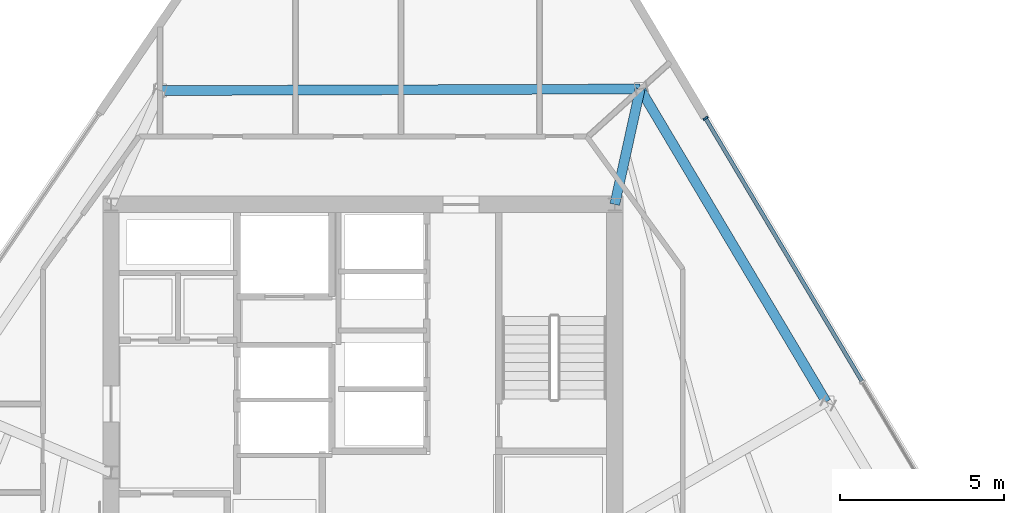
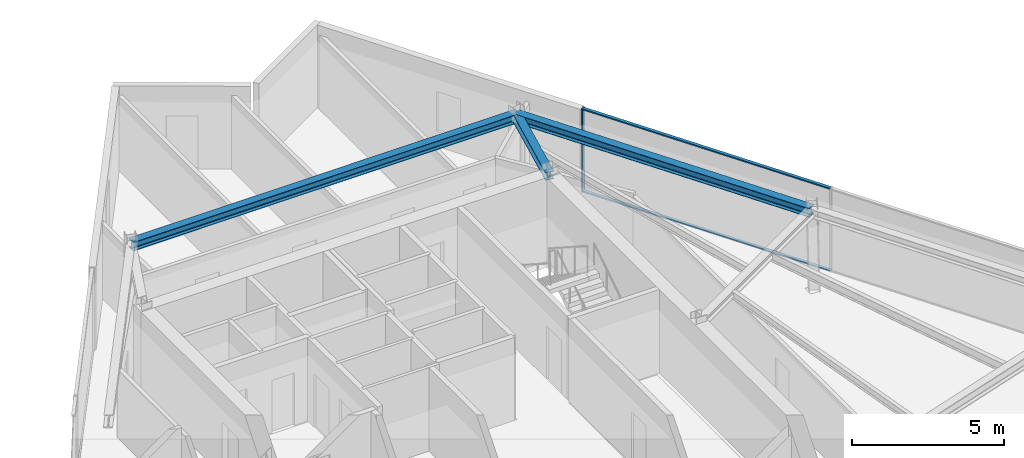
# One storey, part 6 of 14: 3 beams, 3 members, 1 element without a shape of its own.
"""IFC4 building model written with IfcOpenShell, lengths in metres."""

from ifc_helpers import new_model, si_unit, direction, frame, origin, origin_2d, place, context, subcontext, project, spatial, rectangle, i_section, extrude, material, material_profile, profile_set, type_object, element, aggregate, save


model = new_model("IFC4")

# Units and contexts
model_context = context("Model", 3, precision=1e-05, world=origin(), true_north=direction((0.0, 1.0)))
body_context = subcontext(model_context, "Body", "Model", "MODEL_VIEW")
ifc_project = project(units=[si_unit("LENGTHUNIT", "METRE"), si_unit("AREAUNIT", "SQUARE_METRE"), si_unit("VOLUMEUNIT", "CUBIC_METRE"), si_unit("PLANEANGLEUNIT", "RADIAN"), si_unit("MASSUNIT", "GRAM", prefix="KILO")], contexts=[model_context])

# Site, building, storey
site_placement = place(None, origin())
site = spatial("IfcSite", under=ifc_project, at=site_placement, CompositionType="ELEMENT")
building_placement = place(site_placement, origin())
building = spatial("IfcBuilding", under=site, at=building_placement, Name="Savorim Split Tower", CompositionType="ELEMENT")
storey_placement = place(building_placement, frame((0.0, 0.0, 234.300048828125)))
storey = spatial("IfcBuildingStorey", under=building, at=storey_placement, Name="L62", CompositionType="ELEMENT", Elevation=234.300048828125)

# Beams
ifc_material_1 = material(Name="Steel S355", Category="steel")
ifc_material_profile_1 = material_profile(ifc_material_1, i_section(OverallWidth=0.300048828125, OverallDepth=0.320068359375, WebThickness=0.011474609375, FlangeThickness=0.0205078125, FilletRadius=0.027099609375, at=origin_2d()), Name="HEB 320")
ifc_profile_set_1 = profile_set([ifc_material_profile_1], Name="Steel S355")
beam_type_1 = type_object("IfcBeamType", Name="BM-PRI-HEB320", PredefinedType="BEAM", material=ifc_profile_set_1)
beam_1_placement = place(storey_placement, frame((8.477294921875, 13.728515625, 3.18994140625), z_axis=(-0.215141487619, -0.976582889623, 0.0), x_axis=(0.976582889623, -0.215141487619, 0.0)))
element("IfcBeam", 1, at=beam_1_placement, inside=storey, type_object=beam_type_1, Name="L62 Primary Floor Girder RG-07", PredefinedType="BEAM", context=body_context, shape_type="SweptSolid", body=[
    extrude(i_section(OverallWidth=0.300048828125, OverallDepth=0.320068359375, WebThickness=0.011474609375, FlangeThickness=0.0205078125, FilletRadius=0.027099609375, at=origin_2d()), origin(), (0.0, 0.0, 1.0), 3.61328125),
])
ifc_material_profile_2 = material_profile(ifc_material_1, i_section(OverallWidth=0.300048828125, OverallDepth=0.35009765625, WebThickness=0.010009765625, FlangeThickness=0.017578125, FilletRadius=0.027099609375, at=origin_2d()), Name="HEA 360")
ifc_profile_set_2 = profile_set([ifc_material_profile_2], Name="Steel S355")
beam_type_2 = type_object("IfcBeamType", Name="BM-SPN-HEA360", PredefinedType="SPANDREL", material=ifc_profile_set_2)
beam_2_placement = place(storey_placement, frame((14.166748046875, 4.159912109375, 3.175048828125), z_axis=(-0.51107626869, 0.859535367266, 0.0), x_axis=(-0.859535367266, -0.51107626869, 0.0)))
element("IfcBeam", 2, at=beam_2_placement, inside=storey, type_object=beam_type_2, Name="L62 Perimeter Spandrel Beam 6", PredefinedType="SPANDREL", context=body_context, shape_type="SweptSolid", body=[
    extrude(i_section(OverallWidth=0.300048828125, OverallDepth=0.35009765625, WebThickness=0.010009765625, FlangeThickness=0.017578125, FilletRadius=0.027099609375, at=origin_2d()), origin(), (0.0, 0.0, 1.0), 11.13232421875),
])
beam_3_placement = place(storey_placement, frame((8.477294921875, 13.728515625, 3.175048828125), z_axis=(-0.99999445577, -0.003329929424, 0.0), x_axis=(0.003329929424, -0.99999445577, 0.0)))
element("IfcBeam", 3, at=beam_3_placement, inside=storey, type_object=beam_type_2, Name="L62 Perimeter Spandrel Beam 7", PredefinedType="SPANDREL", context=body_context, shape_type="SweptSolid", body=[
    extrude(i_section(OverallWidth=0.300048828125, OverallDepth=0.35009765625, WebThickness=0.010009765625, FlangeThickness=0.017578125, FilletRadius=0.027099609375, at=origin_2d()), origin(), (0.0, 0.0, 1.0), 14.663330078125),
])

# Curtain wall, members
ifc_material_2 = material(Name="Dark Ceramic-Fritted Insulated Glass", Category="glass")
curtain_wall_type = type_object("IfcCurtainWallType", Name="CW-TWR-FRIT-B", PredefinedType="NOTDEFINED", material=ifc_material_2)
curtain_wall_placement = place(storey_placement, origin())
curtain_wall = element("IfcCurtainWall", 4, at=curtain_wall_placement, inside=storey, type_object=curtain_wall_type, Name="L62 Curtain Wall CW-L62-EAST", PredefinedType="NOTDEFINED")
ifc_material_3 = material(Name="Charcoal Anodised Aluminium", Category="aluminium")
ifc_material_profile_3 = material_profile(ifc_material_3, rectangle(XDim=0.159912109375, YDim=0.06005859375, at=origin_2d()), Name="ALU-M 160x60")
ifc_profile_set_3 = profile_set([ifc_material_profile_3], Name="Charcoal Anodised Aluminium")
member_type_1 = type_object("IfcMemberType", Name="CWM-160x60", PredefinedType="MULLION", material=ifc_profile_set_3)
member_1_placement = place(storey_placement, frame((10.47607421875, 12.830322265625, 0.0), z_axis=(0.0, 0.0, 1.0), x_axis=(-0.859523513249, -0.51109620442, 0.0)))
member_1 = element("IfcMember", 5, at=member_1_placement, type_object=member_type_1, Name="CW-03 mullion 4", PredefinedType="MULLION", context=body_context, shape_type="SweptSolid", body=[
    extrude(rectangle(XDim=0.159912109375, YDim=0.06005859375, at=origin_2d()), origin(), (0.0, 0.0, 1.0), 3.349853515625),
])
ifc_material_profile_4 = material_profile(ifc_material_3, rectangle(XDim=0.1201171875, YDim=0.050048828125, at=origin_2d()), Name="ALU-T 120x50")
ifc_profile_set_4 = profile_set([ifc_material_profile_4], Name="Charcoal Anodised Aluminium")
member_type_2 = type_object("IfcMemberType", Name="CWT-120x50", PredefinedType="USERDEFINED", material=ifc_profile_set_4)
member_2_placement = place(storey_placement, frame((15.2509765625, 4.80029296875, 0.02490234375), z_axis=(-0.511087432816, 0.859528729024, 0.0), x_axis=(-0.859528729024, -0.511087432816, 0.0)))
member_2 = element("IfcMember", 6, at=member_2_placement, type_object=member_type_2, Name="CW-03 transom 3.1", ObjectType="TRANSOM", PredefinedType="USERDEFINED", context=body_context, shape_type="SweptSolid", body=[
    extrude(rectangle(XDim=0.1201171875, YDim=0.050048828125, at=origin_2d()), origin(), (0.0, 0.0, 1.0), 9.3125),
])
member_3_placement = place(storey_placement, frame((15.2509765625, 4.80029296875, 3.324951171875), z_axis=(-0.511087432816, 0.859528729024, 0.0), x_axis=(-0.859528729024, -0.511087432816, 0.0)))
member_3 = element("IfcMember", 7, at=member_3_placement, type_object=member_type_2, Name="CW-03 transom 3.2", ObjectType="TRANSOM", PredefinedType="USERDEFINED", context=body_context, shape_type="SweptSolid", body=[
    extrude(rectangle(XDim=0.1201171875, YDim=0.050048828125, at=origin_2d()), origin(), (0.0, 0.0, 1.0), 9.3125),
])
aggregate(curtain_wall, [member_1, member_2, member_3])

save(model, "model.ifc")
